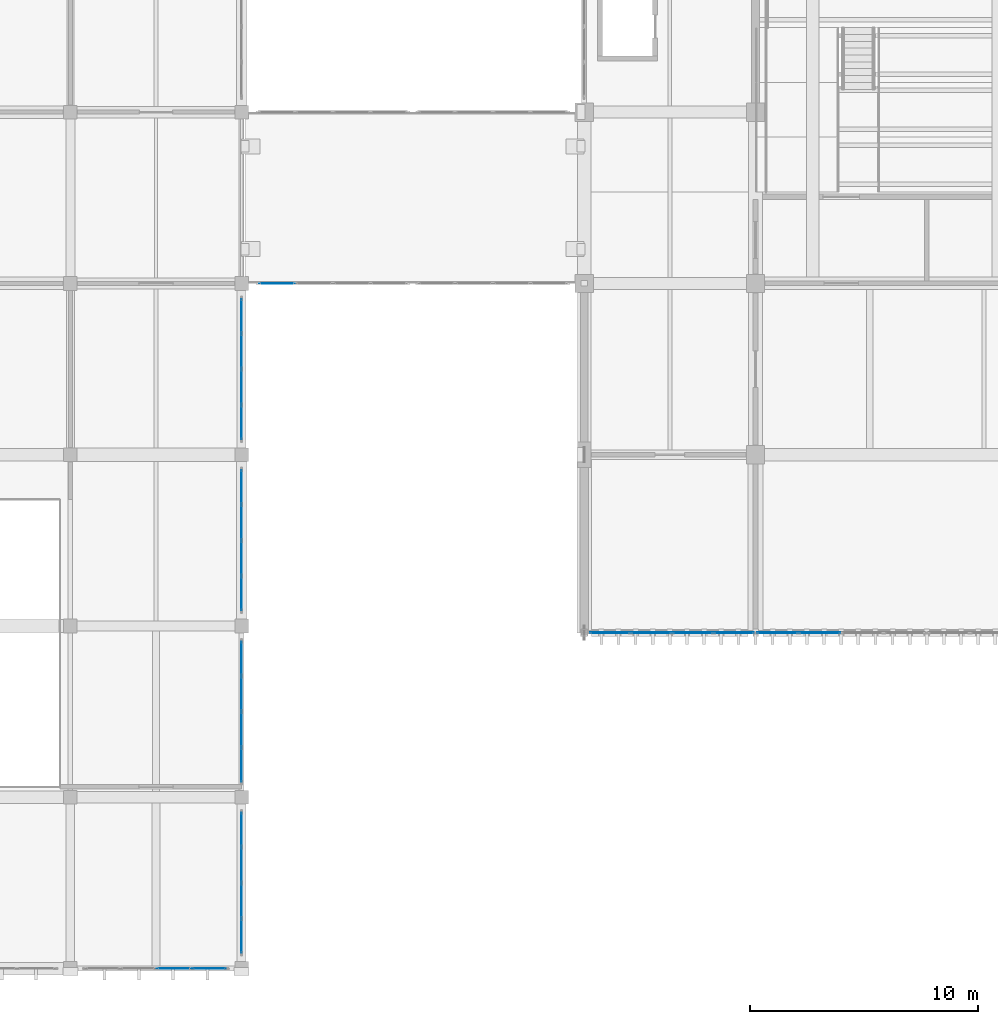
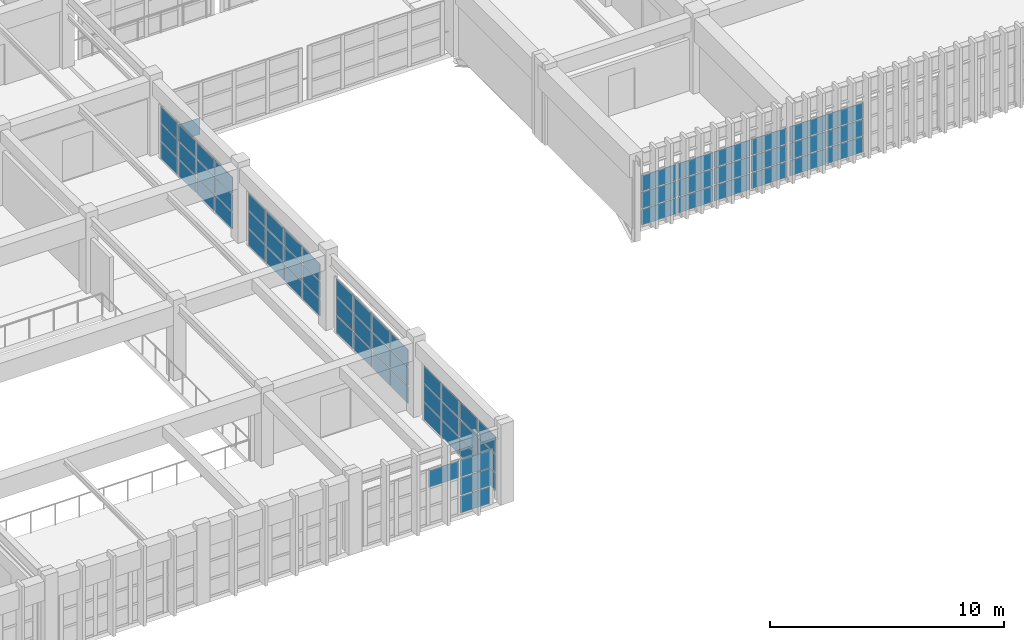
# One storey, part 77 of 124: 71 plates, 8 elements without a shape of their own.
"""IFC4 building model written with IfcOpenShell, lengths in metres."""

from ifc_helpers import new_model, si_unit, direction, frame, origin, origin_2d, place, context, subcontext, project, spatial, rectangle, extrude, material, layer, layer_set, type_object, element, aggregate, save


model = new_model("IFC4")

# Units and contexts
model_context = context("Model", 3, precision=1e-05, world=origin(), true_north=direction((0.0, 1.0)))
body_context = subcontext(model_context, "Body", "Model", "MODEL_VIEW")
ifc_project = project(units=[si_unit("LENGTHUNIT", "METRE"), si_unit("AREAUNIT", "SQUARE_METRE"), si_unit("VOLUMEUNIT", "CUBIC_METRE"), si_unit("PLANEANGLEUNIT", "RADIAN"), si_unit("MASSUNIT", "GRAM", prefix="KILO")], contexts=[model_context])

# Site, building, storey
site_placement = place(None, origin())
site = spatial("IfcSite", under=ifc_project, at=site_placement, CompositionType="ELEMENT")
building_placement = place(site_placement, origin())
building = spatial("IfcBuilding", under=site, at=building_placement, Name="Qasida Concert Hall", CompositionType="ELEMENT")
storey_placement = place(building_placement, frame((0.0, 0.0, 9.0)))
storey = spatial("IfcBuildingStorey", under=building, at=storey_placement, Name="L02", CompositionType="ELEMENT", Elevation=9.0)

# Curtain wall, plates
ifc_material_1 = material(Name="Architectural bronze-anodized aluminium and low-E glass", Category="aluminium")
curtain_wall_type_1 = type_object("IfcCurtainWallType", Name="CW-03", PredefinedType="NOTDEFINED", material=ifc_material_1)
curtain_wall_1_placement = place(storey_placement, origin())
curtain_wall_1 = element("IfcCurtainWall", 1, at=curtain_wall_1_placement, inside=storey, type_object=curtain_wall_type_1, Name="L02 curtain wall CW-03 0008", PredefinedType="NOTDEFINED")
ifc_material_2 = material(Name="Solar-control low-E double glazing", Category="glass")
ifc_layer_1 = layer(ifc_material_2, 0.031982421875, Name="Solar-control low-E double glazing")
ifc_layer_set_1 = layer_set([ifc_layer_1], Name="Solar-control low-E double glazing")
plate_type_1 = type_object("IfcPlateType", Name="PLT-CWP-2", PredefinedType="CURTAIN_PANEL", material=ifc_layer_set_1)
plate_1_placement = place(storey_placement, frame((53.626220703125, 14.699951171875, 0.06005859375), z_axis=(0.0, 0.0, 1.0), x_axis=(1.0, 0.0, 0.0)))
plate_1 = element("IfcPlate", 2, at=plate_1_placement, type_object=plate_type_1, Name="CW-03 panel 1.1", PredefinedType="CURTAIN_PANEL", context=body_context, shape_type="SweptSolid", body=[
    extrude(rectangle(XDim=1.722412109375, YDim=0.031982421875, at=origin_2d()), origin(), (0.0, 0.0, 1.0), 0.806640625),
])
plate_2_placement = place(storey_placement, frame((53.626220703125, 14.699951171875, 0.9267578125), z_axis=(0.0, 0.0, 1.0), x_axis=(1.0, 0.0, 0.0)))
plate_2 = element("IfcPlate", 3, at=plate_2_placement, type_object=plate_type_1, Name="CW-03 panel 1.2", PredefinedType="CURTAIN_PANEL", context=body_context, shape_type="SweptSolid", body=[
    extrude(rectangle(XDim=1.722412109375, YDim=0.031982421875, at=origin_2d()), origin(), (0.0, 0.0, 1.0), 0.836669921875),
])
plate_3_placement = place(storey_placement, frame((53.626220703125, 14.699951171875, 1.8232421875), z_axis=(0.0, 0.0, 1.0), x_axis=(1.0, 0.0, 0.0)))
plate_3 = element("IfcPlate", 4, at=plate_3_placement, type_object=plate_type_1, Name="CW-03 panel 1.3", PredefinedType="CURTAIN_PANEL", context=body_context, shape_type="SweptSolid", body=[
    extrude(rectangle(XDim=1.722412109375, YDim=0.031982421875, at=origin_2d()), origin(), (0.0, 0.0, 1.0), 0.806640625),
])
plate_4_placement = place(storey_placement, frame((55.429931640625, 14.699951171875, 0.06005859375), z_axis=(0.0, 0.0, 1.0), x_axis=(1.0, 0.0, 0.0)))
plate_4 = element("IfcPlate", 5, at=plate_4_placement, type_object=plate_type_1, Name="CW-03 panel 2.1", PredefinedType="CURTAIN_PANEL", context=body_context, shape_type="SweptSolid", body=[
    extrude(rectangle(XDim=1.7548828125, YDim=0.031982421875, at=origin_2d()), origin(), (0.0, 0.0, 1.0), 0.806640625),
])
plate_5_placement = place(storey_placement, frame((55.429931640625, 14.699951171875, 0.9267578125), z_axis=(0.0, 0.0, 1.0), x_axis=(1.0, 0.0, 0.0)))
plate_5 = element("IfcPlate", 6, at=plate_5_placement, type_object=plate_type_1, Name="CW-03 panel 2.2", PredefinedType="CURTAIN_PANEL", context=body_context, shape_type="SweptSolid", body=[
    extrude(rectangle(XDim=1.7548828125, YDim=0.031982421875, at=origin_2d()), origin(), (0.0, 0.0, 1.0), 0.836669921875),
])
plate_6_placement = place(storey_placement, frame((55.429931640625, 14.699951171875, 1.8232421875), z_axis=(0.0, 0.0, 1.0), x_axis=(1.0, 0.0, 0.0)))
plate_6 = element("IfcPlate", 7, at=plate_6_placement, type_object=plate_type_1, Name="CW-03 panel 2.3", PredefinedType="CURTAIN_PANEL", context=body_context, shape_type="SweptSolid", body=[
    extrude(rectangle(XDim=1.7548828125, YDim=0.031982421875, at=origin_2d()), origin(), (0.0, 0.0, 1.0), 0.806640625),
])
plate_7_placement = place(storey_placement, frame((57.25, 14.699951171875, 0.06005859375), z_axis=(0.0, 0.0, 1.0), x_axis=(1.0, 0.0, 0.0)))
plate_7 = element("IfcPlate", 8, at=plate_7_placement, type_object=plate_type_1, Name="CW-03 panel 3.1", PredefinedType="CURTAIN_PANEL", context=body_context, shape_type="SweptSolid", body=[
    extrude(rectangle(XDim=1.7548828125, YDim=0.031982421875, at=origin_2d()), origin(), (0.0, 0.0, 1.0), 0.806640625),
])
plate_8_placement = place(storey_placement, frame((57.25, 14.699951171875, 0.9267578125), z_axis=(0.0, 0.0, 1.0), x_axis=(1.0, 0.0, 0.0)))
plate_8 = element("IfcPlate", 9, at=plate_8_placement, type_object=plate_type_1, Name="CW-03 panel 3.2", PredefinedType="CURTAIN_PANEL", context=body_context, shape_type="SweptSolid", body=[
    extrude(rectangle(XDim=1.7548828125, YDim=0.031982421875, at=origin_2d()), origin(), (0.0, 0.0, 1.0), 0.836669921875),
])
plate_9_placement = place(storey_placement, frame((57.25, 14.699951171875, 1.8232421875), z_axis=(0.0, 0.0, 1.0), x_axis=(1.0, 0.0, 0.0)))
plate_9 = element("IfcPlate", 10, at=plate_9_placement, type_object=plate_type_1, Name="CW-03 panel 3.3", PredefinedType="CURTAIN_PANEL", context=body_context, shape_type="SweptSolid", body=[
    extrude(rectangle(XDim=1.7548828125, YDim=0.031982421875, at=origin_2d()), origin(), (0.0, 0.0, 1.0), 0.806640625),
])
plate_10_placement = place(storey_placement, frame((59.0537109375, 14.699951171875, 0.06005859375), z_axis=(0.0, 0.0, 1.0), x_axis=(1.0, 0.0, 0.0)))
plate_10 = element("IfcPlate", 11, at=plate_10_placement, type_object=plate_type_1, Name="CW-03 panel 4.1", PredefinedType="CURTAIN_PANEL", context=body_context, shape_type="SweptSolid", body=[
    extrude(rectangle(XDim=1.722412109375, YDim=0.031982421875, at=origin_2d()), origin(), (0.0, 0.0, 1.0), 0.806640625),
])
plate_11_placement = place(storey_placement, frame((59.0537109375, 14.699951171875, 0.9267578125), z_axis=(0.0, 0.0, 1.0), x_axis=(1.0, 0.0, 0.0)))
plate_11 = element("IfcPlate", 12, at=plate_11_placement, type_object=plate_type_1, Name="CW-03 panel 4.2", PredefinedType="CURTAIN_PANEL", context=body_context, shape_type="SweptSolid", body=[
    extrude(rectangle(XDim=1.722412109375, YDim=0.031982421875, at=origin_2d()), origin(), (0.0, 0.0, 1.0), 0.836669921875),
])
plate_12_placement = place(storey_placement, frame((59.0537109375, 14.699951171875, 1.8232421875), z_axis=(0.0, 0.0, 1.0), x_axis=(1.0, 0.0, 0.0)))
plate_12 = element("IfcPlate", 13, at=plate_12_placement, type_object=plate_type_1, Name="CW-03 panel 4.3", PredefinedType="CURTAIN_PANEL", context=body_context, shape_type="SweptSolid", body=[
    extrude(rectangle(XDim=1.722412109375, YDim=0.031982421875, at=origin_2d()), origin(), (0.0, 0.0, 1.0), 0.806640625),
])
aggregate(curtain_wall_1, [plate_1, plate_2, plate_3, plate_4, plate_5, plate_6, plate_7, plate_8, plate_9, plate_10, plate_11, plate_12])

curtain_wall_2_placement = place(storey_placement, origin())
curtain_wall_2 = element("IfcCurtainWall", 14, at=curtain_wall_2_placement, inside=storey, type_object=curtain_wall_type_1, Name="L02 curtain wall CW-03 0009", PredefinedType="NOTDEFINED")
plate_13_placement = place(storey_placement, frame((60.96875, 14.699951171875, 0.06005859375), z_axis=(0.0, 0.0, 1.0), x_axis=(1.0, 0.0, 0.0)))
plate_13 = element("IfcPlate", 15, at=plate_13_placement, type_object=plate_type_1, Name="CW-03 panel 1.1", PredefinedType="CURTAIN_PANEL", context=body_context, shape_type="SweptSolid", body=[
    extrude(rectangle(XDim=1.767578125, YDim=0.031982421875, at=origin_2d()), origin(), (0.0, 0.0, 1.0), 0.806640625),
])
plate_14_placement = place(storey_placement, frame((60.96875, 14.699951171875, 0.9267578125), z_axis=(0.0, 0.0, 1.0), x_axis=(1.0, 0.0, 0.0)))
plate_14 = element("IfcPlate", 16, at=plate_14_placement, type_object=plate_type_1, Name="CW-03 panel 1.2", PredefinedType="CURTAIN_PANEL", context=body_context, shape_type="SweptSolid", body=[
    extrude(rectangle(XDim=1.767578125, YDim=0.031982421875, at=origin_2d()), origin(), (0.0, 0.0, 1.0), 0.836669921875),
])
plate_15_placement = place(storey_placement, frame((60.96875, 14.699951171875, 1.8232421875), z_axis=(0.0, 0.0, 1.0), x_axis=(1.0, 0.0, 0.0)))
plate_15 = element("IfcPlate", 17, at=plate_15_placement, type_object=plate_type_1, Name="CW-03 panel 1.3", PredefinedType="CURTAIN_PANEL", context=body_context, shape_type="SweptSolid", body=[
    extrude(rectangle(XDim=1.767578125, YDim=0.031982421875, at=origin_2d()), origin(), (0.0, 0.0, 1.0), 0.806640625),
])
plate_16_placement = place(storey_placement, frame((62.8173828125, 14.699951171875, 0.06005859375), z_axis=(0.0, 0.0, 1.0), x_axis=(1.0, 0.0, 0.0)))
plate_16 = element("IfcPlate", 18, at=plate_16_placement, type_object=plate_type_1, Name="CW-03 panel 2.1", PredefinedType="CURTAIN_PANEL", context=body_context, shape_type="SweptSolid", body=[
    extrude(rectangle(XDim=1.800048828125, YDim=0.031982421875, at=origin_2d()), origin(), (0.0, 0.0, 1.0), 0.806640625),
])
plate_17_placement = place(storey_placement, frame((62.8173828125, 14.699951171875, 0.9267578125), z_axis=(0.0, 0.0, 1.0), x_axis=(1.0, 0.0, 0.0)))
plate_17 = element("IfcPlate", 19, at=plate_17_placement, type_object=plate_type_1, Name="CW-03 panel 2.2", PredefinedType="CURTAIN_PANEL", context=body_context, shape_type="SweptSolid", body=[
    extrude(rectangle(XDim=1.800048828125, YDim=0.031982421875, at=origin_2d()), origin(), (0.0, 0.0, 1.0), 0.836669921875),
])
plate_18_placement = place(storey_placement, frame((62.8173828125, 14.699951171875, 1.8232421875), z_axis=(0.0, 0.0, 1.0), x_axis=(1.0, 0.0, 0.0)))
plate_18 = element("IfcPlate", 20, at=plate_18_placement, type_object=plate_type_1, Name="CW-03 panel 2.3", PredefinedType="CURTAIN_PANEL", context=body_context, shape_type="SweptSolid", body=[
    extrude(rectangle(XDim=1.800048828125, YDim=0.031982421875, at=origin_2d()), origin(), (0.0, 0.0, 1.0), 0.806640625),
])
aggregate(curtain_wall_2, [plate_13, plate_14, plate_15, plate_16, plate_17, plate_18])

curtain_wall_type_2 = type_object("IfcCurtainWallType", Name="CW-08", PredefinedType="NOTDEFINED", material=ifc_material_1)
curtain_wall_3_placement = place(storey_placement, origin())
curtain_wall_3 = element("IfcCurtainWall", 21, at=curtain_wall_3_placement, inside=storey, type_object=curtain_wall_type_2, Name="L02 curtain wall CW-08 0107", PredefinedType="NOTDEFINED")
ifc_layer_2 = layer(ifc_material_2, 0.02392578125, Name="Solar-control low-E double glazing")
ifc_layer_set_2 = layer_set([ifc_layer_2], Name="Solar-control low-E double glazing")
plate_type_2 = type_object("IfcPlateType", Name="PLT-CWP-5", PredefinedType="CURTAIN_PANEL", material=ifc_layer_set_2)
plate_19_placement = place(storey_placement, frame((34.532470703125, 0.0, 1.943359375), z_axis=(0.0, 0.0, 1.0), x_axis=(1.0, 0.0, 0.0)))
plate_19 = element("IfcPlate", 22, at=plate_19_placement, type_object=plate_type_2, Name="CW-08 panel 3.3", PredefinedType="CURTAIN_PANEL", context=body_context, shape_type="SweptSolid", body=[
    extrude(rectangle(XDim=1.5, YDim=0.02392578125, at=origin_2d()), origin(), (0.0, 0.0, 1.0), 0.86669921875),
])
plate_20_placement = place(storey_placement, frame((36.081298828125, 0.0, 0.06005859375), z_axis=(0.0, 0.0, 1.0), x_axis=(1.0, 0.0, 0.0)))
plate_20 = element("IfcPlate", 23, at=plate_20_placement, type_object=plate_type_2, Name="CW-08 panel 4.1", PredefinedType="CURTAIN_PANEL", context=body_context, shape_type="SweptSolid", body=[
    extrude(rectangle(XDim=1.467529296875, YDim=0.02392578125, at=origin_2d()), origin(), (0.0, 0.0, 1.0), 0.86669921875),
])
plate_21_placement = place(storey_placement, frame((36.081298828125, 0.0, 0.98681640625), z_axis=(0.0, 0.0, 1.0), x_axis=(1.0, 0.0, 0.0)))
plate_21 = element("IfcPlate", 24, at=plate_21_placement, type_object=plate_type_2, Name="CW-08 panel 4.2", PredefinedType="CURTAIN_PANEL", context=body_context, shape_type="SweptSolid", body=[
    extrude(rectangle(XDim=1.467529296875, YDim=0.02392578125, at=origin_2d()), origin(), (0.0, 0.0, 1.0), 0.896484375),
])
plate_22_placement = place(storey_placement, frame((36.081298828125, 0.0, 1.943359375), z_axis=(0.0, 0.0, 1.0), x_axis=(1.0, 0.0, 0.0)))
plate_22 = element("IfcPlate", 25, at=plate_22_placement, type_object=plate_type_2, Name="CW-08 panel 4.3", PredefinedType="CURTAIN_PANEL", context=body_context, shape_type="SweptSolid", body=[
    extrude(rectangle(XDim=1.467529296875, YDim=0.02392578125, at=origin_2d()), origin(), (0.0, 0.0, 1.0), 0.86669921875),
])
aggregate(curtain_wall_3, [plate_19, plate_20, plate_21, plate_22])

curtain_wall_4_placement = place(storey_placement, origin())
curtain_wall_4 = element("IfcCurtainWall", 26, at=curtain_wall_4_placement, inside=storey, type_object=curtain_wall_type_2, Name="L02 curtain wall CW-08 0109", PredefinedType="NOTDEFINED")
plate_23_placement = place(storey_placement, frame((37.5, 1.418701171875, 0.06005859375), z_axis=(0.0, 0.0, 1.0), x_axis=(0.0, 1.0, 0.0)))
plate_23 = element("IfcPlate", 27, at=plate_23_placement, type_object=plate_type_2, Name="CW-08 panel 1.1", PredefinedType="CURTAIN_PANEL", context=body_context, shape_type="SweptSolid", body=[
    extrude(rectangle(XDim=1.467529296875, YDim=0.02392578125, at=origin_2d()), origin(), (0.0, 0.0, 1.0), 0.88330078125),
])
plate_24_placement = place(storey_placement, frame((37.5, 1.418701171875, 1.00341796875), z_axis=(0.0, 0.0, 1.0), x_axis=(0.0, 1.0, 0.0)))
plate_24 = element("IfcPlate", 28, at=plate_24_placement, type_object=plate_type_2, Name="CW-08 panel 1.2", PredefinedType="CURTAIN_PANEL", context=body_context, shape_type="SweptSolid", body=[
    extrude(rectangle(XDim=1.467529296875, YDim=0.02392578125, at=origin_2d()), origin(), (0.0, 0.0, 1.0), 0.913330078125),
])
plate_25_placement = place(storey_placement, frame((37.5, 1.418701171875, 1.976806640625), z_axis=(0.0, 0.0, 1.0), x_axis=(0.0, 1.0, 0.0)))
plate_25 = element("IfcPlate", 29, at=plate_25_placement, type_object=plate_type_2, Name="CW-08 panel 1.3", PredefinedType="CURTAIN_PANEL", context=body_context, shape_type="SweptSolid", body=[
    extrude(rectangle(XDim=1.467529296875, YDim=0.02392578125, at=origin_2d()), origin(), (0.0, 0.0, 1.0), 0.88330078125),
])
plate_26_placement = place(storey_placement, frame((37.5, 2.967529296875, 0.06005859375), z_axis=(0.0, 0.0, 1.0), x_axis=(0.0, 1.0, 0.0)))
plate_26 = element("IfcPlate", 30, at=plate_26_placement, type_object=plate_type_2, Name="CW-08 panel 2.1", PredefinedType="CURTAIN_PANEL", context=body_context, shape_type="SweptSolid", body=[
    extrude(rectangle(XDim=1.5, YDim=0.02392578125, at=origin_2d()), origin(), (0.0, 0.0, 1.0), 0.88330078125),
])
plate_27_placement = place(storey_placement, frame((37.5, 2.967529296875, 1.00341796875), z_axis=(0.0, 0.0, 1.0), x_axis=(0.0, 1.0, 0.0)))
plate_27 = element("IfcPlate", 31, at=plate_27_placement, type_object=plate_type_2, Name="CW-08 panel 2.2", PredefinedType="CURTAIN_PANEL", context=body_context, shape_type="SweptSolid", body=[
    extrude(rectangle(XDim=1.5, YDim=0.02392578125, at=origin_2d()), origin(), (0.0, 0.0, 1.0), 0.913330078125),
])
plate_28_placement = place(storey_placement, frame((37.5, 2.967529296875, 1.976806640625), z_axis=(0.0, 0.0, 1.0), x_axis=(0.0, 1.0, 0.0)))
plate_28 = element("IfcPlate", 32, at=plate_28_placement, type_object=plate_type_2, Name="CW-08 panel 2.3", PredefinedType="CURTAIN_PANEL", context=body_context, shape_type="SweptSolid", body=[
    extrude(rectangle(XDim=1.5, YDim=0.02392578125, at=origin_2d()), origin(), (0.0, 0.0, 1.0), 0.88330078125),
])
plate_29_placement = place(storey_placement, frame((37.5, 4.532470703125, 0.06005859375), z_axis=(0.0, 0.0, 1.0), x_axis=(0.0, 1.0, 0.0)))
plate_29 = element("IfcPlate", 33, at=plate_29_placement, type_object=plate_type_2, Name="CW-08 panel 3.1", PredefinedType="CURTAIN_PANEL", context=body_context, shape_type="SweptSolid", body=[
    extrude(rectangle(XDim=1.5, YDim=0.02392578125, at=origin_2d()), origin(), (0.0, 0.0, 1.0), 0.88330078125),
])
plate_30_placement = place(storey_placement, frame((37.5, 4.532470703125, 1.00341796875), z_axis=(0.0, 0.0, 1.0), x_axis=(0.0, 1.0, 0.0)))
plate_30 = element("IfcPlate", 34, at=plate_30_placement, type_object=plate_type_2, Name="CW-08 panel 3.2", PredefinedType="CURTAIN_PANEL", context=body_context, shape_type="SweptSolid", body=[
    extrude(rectangle(XDim=1.5, YDim=0.02392578125, at=origin_2d()), origin(), (0.0, 0.0, 1.0), 0.913330078125),
])
plate_31_placement = place(storey_placement, frame((37.5, 4.532470703125, 1.976806640625), z_axis=(0.0, 0.0, 1.0), x_axis=(0.0, 1.0, 0.0)))
plate_31 = element("IfcPlate", 35, at=plate_31_placement, type_object=plate_type_2, Name="CW-08 panel 3.3", PredefinedType="CURTAIN_PANEL", context=body_context, shape_type="SweptSolid", body=[
    extrude(rectangle(XDim=1.5, YDim=0.02392578125, at=origin_2d()), origin(), (0.0, 0.0, 1.0), 0.88330078125),
])
plate_32_placement = place(storey_placement, frame((37.5, 6.081298828125, 0.06005859375), z_axis=(0.0, 0.0, 1.0), x_axis=(0.0, 1.0, 0.0)))
plate_32 = element("IfcPlate", 36, at=plate_32_placement, type_object=plate_type_2, Name="CW-08 panel 4.1", PredefinedType="CURTAIN_PANEL", context=body_context, shape_type="SweptSolid", body=[
    extrude(rectangle(XDim=1.467529296875, YDim=0.02392578125, at=origin_2d()), origin(), (0.0, 0.0, 1.0), 0.88330078125),
])
plate_33_placement = place(storey_placement, frame((37.5, 6.081298828125, 1.00341796875), z_axis=(0.0, 0.0, 1.0), x_axis=(0.0, 1.0, 0.0)))
plate_33 = element("IfcPlate", 37, at=plate_33_placement, type_object=plate_type_2, Name="CW-08 panel 4.2", PredefinedType="CURTAIN_PANEL", context=body_context, shape_type="SweptSolid", body=[
    extrude(rectangle(XDim=1.467529296875, YDim=0.02392578125, at=origin_2d()), origin(), (0.0, 0.0, 1.0), 0.913330078125),
])
plate_34_placement = place(storey_placement, frame((37.5, 6.081298828125, 1.976806640625), z_axis=(0.0, 0.0, 1.0), x_axis=(0.0, 1.0, 0.0)))
plate_34 = element("IfcPlate", 38, at=plate_34_placement, type_object=plate_type_2, Name="CW-08 panel 4.3", PredefinedType="CURTAIN_PANEL", context=body_context, shape_type="SweptSolid", body=[
    extrude(rectangle(XDim=1.467529296875, YDim=0.02392578125, at=origin_2d()), origin(), (0.0, 0.0, 1.0), 0.88330078125),
])
aggregate(curtain_wall_4, [plate_23, plate_24, plate_25, plate_26, plate_27, plate_28, plate_29, plate_30, plate_31, plate_32, plate_33, plate_34])

curtain_wall_5_placement = place(storey_placement, origin())
curtain_wall_5 = element("IfcCurtainWall", 39, at=curtain_wall_5_placement, inside=storey, type_object=curtain_wall_type_2, Name="L02 curtain wall CW-08 0111", PredefinedType="NOTDEFINED")
plate_35_placement = place(storey_placement, frame((37.5, 8.918701171875, 0.06005859375), z_axis=(0.0, 0.0, 1.0), x_axis=(0.0, 1.0, 0.0)))
plate_35 = element("IfcPlate", 40, at=plate_35_placement, type_object=plate_type_2, Name="CW-08 panel 1.1", PredefinedType="CURTAIN_PANEL", context=body_context, shape_type="SweptSolid", body=[
    extrude(rectangle(XDim=1.467529296875, YDim=0.02392578125, at=origin_2d()), origin(), (0.0, 0.0, 1.0), 0.88330078125),
])
plate_36_placement = place(storey_placement, frame((37.5, 8.918701171875, 1.00341796875), z_axis=(0.0, 0.0, 1.0), x_axis=(0.0, 1.0, 0.0)))
plate_36 = element("IfcPlate", 41, at=plate_36_placement, type_object=plate_type_2, Name="CW-08 panel 1.2", PredefinedType="CURTAIN_PANEL", context=body_context, shape_type="SweptSolid", body=[
    extrude(rectangle(XDim=1.467529296875, YDim=0.02392578125, at=origin_2d()), origin(), (0.0, 0.0, 1.0), 0.913330078125),
])
plate_37_placement = place(storey_placement, frame((37.5, 8.918701171875, 1.976806640625), z_axis=(0.0, 0.0, 1.0), x_axis=(0.0, 1.0, 0.0)))
plate_37 = element("IfcPlate", 42, at=plate_37_placement, type_object=plate_type_2, Name="CW-08 panel 1.3", PredefinedType="CURTAIN_PANEL", context=body_context, shape_type="SweptSolid", body=[
    extrude(rectangle(XDim=1.467529296875, YDim=0.02392578125, at=origin_2d()), origin(), (0.0, 0.0, 1.0), 0.88330078125),
])
plate_38_placement = place(storey_placement, frame((37.5, 10.467529296875, 0.06005859375), z_axis=(0.0, 0.0, 1.0), x_axis=(0.0, 1.0, 0.0)))
plate_38 = element("IfcPlate", 43, at=plate_38_placement, type_object=plate_type_2, Name="CW-08 panel 2.1", PredefinedType="CURTAIN_PANEL", context=body_context, shape_type="SweptSolid", body=[
    extrude(rectangle(XDim=1.5, YDim=0.02392578125, at=origin_2d()), origin(), (0.0, 0.0, 1.0), 0.88330078125),
])
plate_39_placement = place(storey_placement, frame((37.5, 10.467529296875, 1.00341796875), z_axis=(0.0, 0.0, 1.0), x_axis=(0.0, 1.0, 0.0)))
plate_39 = element("IfcPlate", 44, at=plate_39_placement, type_object=plate_type_2, Name="CW-08 panel 2.2", PredefinedType="CURTAIN_PANEL", context=body_context, shape_type="SweptSolid", body=[
    extrude(rectangle(XDim=1.5, YDim=0.02392578125, at=origin_2d()), origin(), (0.0, 0.0, 1.0), 0.913330078125),
])
plate_40_placement = place(storey_placement, frame((37.5, 10.467529296875, 1.976806640625), z_axis=(0.0, 0.0, 1.0), x_axis=(0.0, 1.0, 0.0)))
plate_40 = element("IfcPlate", 45, at=plate_40_placement, type_object=plate_type_2, Name="CW-08 panel 2.3", PredefinedType="CURTAIN_PANEL", context=body_context, shape_type="SweptSolid", body=[
    extrude(rectangle(XDim=1.5, YDim=0.02392578125, at=origin_2d()), origin(), (0.0, 0.0, 1.0), 0.88330078125),
])
plate_41_placement = place(storey_placement, frame((37.5, 12.032470703125, 0.06005859375), z_axis=(0.0, 0.0, 1.0), x_axis=(0.0, 1.0, 0.0)))
plate_41 = element("IfcPlate", 46, at=plate_41_placement, type_object=plate_type_2, Name="CW-08 panel 3.1", PredefinedType="CURTAIN_PANEL", context=body_context, shape_type="SweptSolid", body=[
    extrude(rectangle(XDim=1.5, YDim=0.02392578125, at=origin_2d()), origin(), (0.0, 0.0, 1.0), 0.88330078125),
])
plate_42_placement = place(storey_placement, frame((37.5, 12.032470703125, 1.00341796875), z_axis=(0.0, 0.0, 1.0), x_axis=(0.0, 1.0, 0.0)))
plate_42 = element("IfcPlate", 47, at=plate_42_placement, type_object=plate_type_2, Name="CW-08 panel 3.2", PredefinedType="CURTAIN_PANEL", context=body_context, shape_type="SweptSolid", body=[
    extrude(rectangle(XDim=1.5, YDim=0.02392578125, at=origin_2d()), origin(), (0.0, 0.0, 1.0), 0.913330078125),
])
plate_43_placement = place(storey_placement, frame((37.5, 12.032470703125, 1.976806640625), z_axis=(0.0, 0.0, 1.0), x_axis=(0.0, 1.0, 0.0)))
plate_43 = element("IfcPlate", 48, at=plate_43_placement, type_object=plate_type_2, Name="CW-08 panel 3.3", PredefinedType="CURTAIN_PANEL", context=body_context, shape_type="SweptSolid", body=[
    extrude(rectangle(XDim=1.5, YDim=0.02392578125, at=origin_2d()), origin(), (0.0, 0.0, 1.0), 0.88330078125),
])
plate_44_placement = place(storey_placement, frame((37.5, 13.581298828125, 0.06005859375), z_axis=(0.0, 0.0, 1.0), x_axis=(0.0, 1.0, 0.0)))
plate_44 = element("IfcPlate", 49, at=plate_44_placement, type_object=plate_type_2, Name="CW-08 panel 4.1", PredefinedType="CURTAIN_PANEL", context=body_context, shape_type="SweptSolid", body=[
    extrude(rectangle(XDim=1.467529296875, YDim=0.02392578125, at=origin_2d()), origin(), (0.0, 0.0, 1.0), 0.88330078125),
])
plate_45_placement = place(storey_placement, frame((37.5, 13.581298828125, 1.00341796875), z_axis=(0.0, 0.0, 1.0), x_axis=(0.0, 1.0, 0.0)))
plate_45 = element("IfcPlate", 50, at=plate_45_placement, type_object=plate_type_2, Name="CW-08 panel 4.2", PredefinedType="CURTAIN_PANEL", context=body_context, shape_type="SweptSolid", body=[
    extrude(rectangle(XDim=1.467529296875, YDim=0.02392578125, at=origin_2d()), origin(), (0.0, 0.0, 1.0), 0.913330078125),
])
plate_46_placement = place(storey_placement, frame((37.5, 13.581298828125, 1.976806640625), z_axis=(0.0, 0.0, 1.0), x_axis=(0.0, 1.0, 0.0)))
plate_46 = element("IfcPlate", 51, at=plate_46_placement, type_object=plate_type_2, Name="CW-08 panel 4.3", PredefinedType="CURTAIN_PANEL", context=body_context, shape_type="SweptSolid", body=[
    extrude(rectangle(XDim=1.467529296875, YDim=0.02392578125, at=origin_2d()), origin(), (0.0, 0.0, 1.0), 0.88330078125),
])
aggregate(curtain_wall_5, [plate_35, plate_36, plate_37, plate_38, plate_39, plate_40, plate_41, plate_42, plate_43, plate_44, plate_45, plate_46])

curtain_wall_6_placement = place(storey_placement, origin())
curtain_wall_6 = element("IfcCurtainWall", 52, at=curtain_wall_6_placement, inside=storey, type_object=curtain_wall_type_2, Name="L02 curtain wall CW-08 0112", PredefinedType="NOTDEFINED")
plate_47_placement = place(storey_placement, frame((37.5, 16.418701171875, 0.06005859375), z_axis=(0.0, 0.0, 1.0), x_axis=(0.0, 1.0, 0.0)))
plate_47 = element("IfcPlate", 53, at=plate_47_placement, type_object=plate_type_2, Name="CW-08 panel 1.1", PredefinedType="CURTAIN_PANEL", context=body_context, shape_type="SweptSolid", body=[
    extrude(rectangle(XDim=1.467529296875, YDim=0.02392578125, at=origin_2d()), origin(), (0.0, 0.0, 1.0), 0.85009765625),
])
plate_48_placement = place(storey_placement, frame((37.5, 16.418701171875, 0.969970703125), z_axis=(0.0, 0.0, 1.0), x_axis=(0.0, 1.0, 0.0)))
plate_48 = element("IfcPlate", 54, at=plate_48_placement, type_object=plate_type_2, Name="CW-08 panel 1.2", PredefinedType="CURTAIN_PANEL", context=body_context, shape_type="SweptSolid", body=[
    extrude(rectangle(XDim=1.467529296875, YDim=0.02392578125, at=origin_2d()), origin(), (0.0, 0.0, 1.0), 0.8798828125),
])
plate_49_placement = place(storey_placement, frame((37.5, 16.418701171875, 1.909912109375), z_axis=(0.0, 0.0, 1.0), x_axis=(0.0, 1.0, 0.0)))
plate_49 = element("IfcPlate", 55, at=plate_49_placement, type_object=plate_type_2, Name="CW-08 panel 1.3", PredefinedType="CURTAIN_PANEL", context=body_context, shape_type="SweptSolid", body=[
    extrude(rectangle(XDim=1.467529296875, YDim=0.02392578125, at=origin_2d()), origin(), (0.0, 0.0, 1.0), 0.85009765625),
])
plate_50_placement = place(storey_placement, frame((37.5, 17.967529296875, 0.06005859375), z_axis=(0.0, 0.0, 1.0), x_axis=(0.0, 1.0, 0.0)))
plate_50 = element("IfcPlate", 56, at=plate_50_placement, type_object=plate_type_2, Name="CW-08 panel 2.1", PredefinedType="CURTAIN_PANEL", context=body_context, shape_type="SweptSolid", body=[
    extrude(rectangle(XDim=1.5, YDim=0.02392578125, at=origin_2d()), origin(), (0.0, 0.0, 1.0), 0.85009765625),
])
plate_51_placement = place(storey_placement, frame((37.5, 17.967529296875, 0.969970703125), z_axis=(0.0, 0.0, 1.0), x_axis=(0.0, 1.0, 0.0)))
plate_51 = element("IfcPlate", 57, at=plate_51_placement, type_object=plate_type_2, Name="CW-08 panel 2.2", PredefinedType="CURTAIN_PANEL", context=body_context, shape_type="SweptSolid", body=[
    extrude(rectangle(XDim=1.5, YDim=0.02392578125, at=origin_2d()), origin(), (0.0, 0.0, 1.0), 0.8798828125),
])
plate_52_placement = place(storey_placement, frame((37.5, 17.967529296875, 1.909912109375), z_axis=(0.0, 0.0, 1.0), x_axis=(0.0, 1.0, 0.0)))
plate_52 = element("IfcPlate", 58, at=plate_52_placement, type_object=plate_type_2, Name="CW-08 panel 2.3", PredefinedType="CURTAIN_PANEL", context=body_context, shape_type="SweptSolid", body=[
    extrude(rectangle(XDim=1.5, YDim=0.02392578125, at=origin_2d()), origin(), (0.0, 0.0, 1.0), 0.85009765625),
])
plate_53_placement = place(storey_placement, frame((37.5, 19.532470703125, 0.06005859375), z_axis=(0.0, 0.0, 1.0), x_axis=(0.0, 1.0, 0.0)))
plate_53 = element("IfcPlate", 59, at=plate_53_placement, type_object=plate_type_2, Name="CW-08 panel 3.1", PredefinedType="CURTAIN_PANEL", context=body_context, shape_type="SweptSolid", body=[
    extrude(rectangle(XDim=1.5, YDim=0.02392578125, at=origin_2d()), origin(), (0.0, 0.0, 1.0), 0.85009765625),
])
plate_54_placement = place(storey_placement, frame((37.5, 19.532470703125, 0.969970703125), z_axis=(0.0, 0.0, 1.0), x_axis=(0.0, 1.0, 0.0)))
plate_54 = element("IfcPlate", 60, at=plate_54_placement, type_object=plate_type_2, Name="CW-08 panel 3.2", PredefinedType="CURTAIN_PANEL", context=body_context, shape_type="SweptSolid", body=[
    extrude(rectangle(XDim=1.5, YDim=0.02392578125, at=origin_2d()), origin(), (0.0, 0.0, 1.0), 0.8798828125),
])
plate_55_placement = place(storey_placement, frame((37.5, 19.532470703125, 1.909912109375), z_axis=(0.0, 0.0, 1.0), x_axis=(0.0, 1.0, 0.0)))
plate_55 = element("IfcPlate", 61, at=plate_55_placement, type_object=plate_type_2, Name="CW-08 panel 3.3", PredefinedType="CURTAIN_PANEL", context=body_context, shape_type="SweptSolid", body=[
    extrude(rectangle(XDim=1.5, YDim=0.02392578125, at=origin_2d()), origin(), (0.0, 0.0, 1.0), 0.85009765625),
])
plate_56_placement = place(storey_placement, frame((37.5, 21.081298828125, 0.06005859375), z_axis=(0.0, 0.0, 1.0), x_axis=(0.0, 1.0, 0.0)))
plate_56 = element("IfcPlate", 62, at=plate_56_placement, type_object=plate_type_2, Name="CW-08 panel 4.1", PredefinedType="CURTAIN_PANEL", context=body_context, shape_type="SweptSolid", body=[
    extrude(rectangle(XDim=1.467529296875, YDim=0.02392578125, at=origin_2d()), origin(), (0.0, 0.0, 1.0), 0.85009765625),
])
plate_57_placement = place(storey_placement, frame((37.5, 21.081298828125, 0.969970703125), z_axis=(0.0, 0.0, 1.0), x_axis=(0.0, 1.0, 0.0)))
plate_57 = element("IfcPlate", 63, at=plate_57_placement, type_object=plate_type_2, Name="CW-08 panel 4.2", PredefinedType="CURTAIN_PANEL", context=body_context, shape_type="SweptSolid", body=[
    extrude(rectangle(XDim=1.467529296875, YDim=0.02392578125, at=origin_2d()), origin(), (0.0, 0.0, 1.0), 0.8798828125),
])
plate_58_placement = place(storey_placement, frame((37.5, 21.081298828125, 1.909912109375), z_axis=(0.0, 0.0, 1.0), x_axis=(0.0, 1.0, 0.0)))
plate_58 = element("IfcPlate", 64, at=plate_58_placement, type_object=plate_type_2, Name="CW-08 panel 4.3", PredefinedType="CURTAIN_PANEL", context=body_context, shape_type="SweptSolid", body=[
    extrude(rectangle(XDim=1.467529296875, YDim=0.02392578125, at=origin_2d()), origin(), (0.0, 0.0, 1.0), 0.85009765625),
])
aggregate(curtain_wall_6, [plate_47, plate_48, plate_49, plate_50, plate_51, plate_52, plate_53, plate_54, plate_55, plate_56, plate_57, plate_58])

curtain_wall_7_placement = place(storey_placement, origin())
curtain_wall_7 = element("IfcCurtainWall", 65, at=curtain_wall_7_placement, inside=storey, type_object=curtain_wall_type_2, Name="L02 curtain wall CW-08 0113", PredefinedType="NOTDEFINED")
plate_59_placement = place(storey_placement, frame((37.5, 23.918701171875, 0.06005859375), z_axis=(0.0, 0.0, 1.0), x_axis=(0.0, 1.0, 0.0)))
plate_59 = element("IfcPlate", 66, at=plate_59_placement, type_object=plate_type_2, Name="CW-08 panel 1.1", PredefinedType="CURTAIN_PANEL", context=body_context, shape_type="SweptSolid", body=[
    extrude(rectangle(XDim=1.467529296875, YDim=0.02392578125, at=origin_2d()), origin(), (0.0, 0.0, 1.0), 0.85009765625),
])
plate_60_placement = place(storey_placement, frame((37.5, 23.918701171875, 0.969970703125), z_axis=(0.0, 0.0, 1.0), x_axis=(0.0, 1.0, 0.0)))
plate_60 = element("IfcPlate", 67, at=plate_60_placement, type_object=plate_type_2, Name="CW-08 panel 1.2", PredefinedType="CURTAIN_PANEL", context=body_context, shape_type="SweptSolid", body=[
    extrude(rectangle(XDim=1.467529296875, YDim=0.02392578125, at=origin_2d()), origin(), (0.0, 0.0, 1.0), 0.8798828125),
])
plate_61_placement = place(storey_placement, frame((37.5, 23.918701171875, 1.909912109375), z_axis=(0.0, 0.0, 1.0), x_axis=(0.0, 1.0, 0.0)))
plate_61 = element("IfcPlate", 68, at=plate_61_placement, type_object=plate_type_2, Name="CW-08 panel 1.3", PredefinedType="CURTAIN_PANEL", context=body_context, shape_type="SweptSolid", body=[
    extrude(rectangle(XDim=1.467529296875, YDim=0.02392578125, at=origin_2d()), origin(), (0.0, 0.0, 1.0), 0.85009765625),
])
plate_62_placement = place(storey_placement, frame((37.5, 25.467529296875, 0.06005859375), z_axis=(0.0, 0.0, 1.0), x_axis=(0.0, 1.0, 0.0)))
plate_62 = element("IfcPlate", 69, at=plate_62_placement, type_object=plate_type_2, Name="CW-08 panel 2.1", PredefinedType="CURTAIN_PANEL", context=body_context, shape_type="SweptSolid", body=[
    extrude(rectangle(XDim=1.5, YDim=0.02392578125, at=origin_2d()), origin(), (0.0, 0.0, 1.0), 0.85009765625),
])
plate_63_placement = place(storey_placement, frame((37.5, 25.467529296875, 0.969970703125), z_axis=(0.0, 0.0, 1.0), x_axis=(0.0, 1.0, 0.0)))
plate_63 = element("IfcPlate", 70, at=plate_63_placement, type_object=plate_type_2, Name="CW-08 panel 2.2", PredefinedType="CURTAIN_PANEL", context=body_context, shape_type="SweptSolid", body=[
    extrude(rectangle(XDim=1.5, YDim=0.02392578125, at=origin_2d()), origin(), (0.0, 0.0, 1.0), 0.8798828125),
])
plate_64_placement = place(storey_placement, frame((37.5, 25.467529296875, 1.909912109375), z_axis=(0.0, 0.0, 1.0), x_axis=(0.0, 1.0, 0.0)))
plate_64 = element("IfcPlate", 71, at=plate_64_placement, type_object=plate_type_2, Name="CW-08 panel 2.3", PredefinedType="CURTAIN_PANEL", context=body_context, shape_type="SweptSolid", body=[
    extrude(rectangle(XDim=1.5, YDim=0.02392578125, at=origin_2d()), origin(), (0.0, 0.0, 1.0), 0.85009765625),
])
plate_65_placement = place(storey_placement, frame((37.5, 27.032470703125, 0.06005859375), z_axis=(0.0, 0.0, 1.0), x_axis=(0.0, 1.0, 0.0)))
plate_65 = element("IfcPlate", 72, at=plate_65_placement, type_object=plate_type_2, Name="CW-08 panel 3.1", PredefinedType="CURTAIN_PANEL", context=body_context, shape_type="SweptSolid", body=[
    extrude(rectangle(XDim=1.5, YDim=0.02392578125, at=origin_2d()), origin(), (0.0, 0.0, 1.0), 0.85009765625),
])
plate_66_placement = place(storey_placement, frame((37.5, 27.032470703125, 0.969970703125), z_axis=(0.0, 0.0, 1.0), x_axis=(0.0, 1.0, 0.0)))
plate_66 = element("IfcPlate", 73, at=plate_66_placement, type_object=plate_type_2, Name="CW-08 panel 3.2", PredefinedType="CURTAIN_PANEL", context=body_context, shape_type="SweptSolid", body=[
    extrude(rectangle(XDim=1.5, YDim=0.02392578125, at=origin_2d()), origin(), (0.0, 0.0, 1.0), 0.8798828125),
])
plate_67_placement = place(storey_placement, frame((37.5, 27.032470703125, 1.909912109375), z_axis=(0.0, 0.0, 1.0), x_axis=(0.0, 1.0, 0.0)))
plate_67 = element("IfcPlate", 74, at=plate_67_placement, type_object=plate_type_2, Name="CW-08 panel 3.3", PredefinedType="CURTAIN_PANEL", context=body_context, shape_type="SweptSolid", body=[
    extrude(rectangle(XDim=1.5, YDim=0.02392578125, at=origin_2d()), origin(), (0.0, 0.0, 1.0), 0.85009765625),
])
plate_68_placement = place(storey_placement, frame((37.5, 28.581298828125, 0.06005859375), z_axis=(0.0, 0.0, 1.0), x_axis=(0.0, 1.0, 0.0)))
plate_68 = element("IfcPlate", 75, at=plate_68_placement, type_object=plate_type_2, Name="CW-08 panel 4.1", PredefinedType="CURTAIN_PANEL", context=body_context, shape_type="SweptSolid", body=[
    extrude(rectangle(XDim=1.467529296875, YDim=0.02392578125, at=origin_2d()), origin(), (0.0, 0.0, 1.0), 0.85009765625),
])
plate_69_placement = place(storey_placement, frame((37.5, 28.581298828125, 0.969970703125), z_axis=(0.0, 0.0, 1.0), x_axis=(0.0, 1.0, 0.0)))
plate_69 = element("IfcPlate", 76, at=plate_69_placement, type_object=plate_type_2, Name="CW-08 panel 4.2", PredefinedType="CURTAIN_PANEL", context=body_context, shape_type="SweptSolid", body=[
    extrude(rectangle(XDim=1.467529296875, YDim=0.02392578125, at=origin_2d()), origin(), (0.0, 0.0, 1.0), 0.8798828125),
])
plate_70_placement = place(storey_placement, frame((37.5, 28.581298828125, 1.909912109375), z_axis=(0.0, 0.0, 1.0), x_axis=(0.0, 1.0, 0.0)))
plate_70 = element("IfcPlate", 77, at=plate_70_placement, type_object=plate_type_2, Name="CW-08 panel 4.3", PredefinedType="CURTAIN_PANEL", context=body_context, shape_type="SweptSolid", body=[
    extrude(rectangle(XDim=1.467529296875, YDim=0.02392578125, at=origin_2d()), origin(), (0.0, 0.0, 1.0), 0.85009765625),
])
aggregate(curtain_wall_7, [plate_59, plate_60, plate_61, plate_62, plate_63, plate_64, plate_65, plate_66, plate_67, plate_68, plate_69, plate_70])

# Curtain wall, plate
curtain_wall_8_placement = place(storey_placement, origin())
curtain_wall_8 = element("IfcCurtainWall", 78, at=curtain_wall_8_placement, inside=storey, type_object=curtain_wall_type_2, Name="L02 link bridge glazing 0202", PredefinedType="NOTDEFINED")
plate_71_placement = place(storey_placement, frame((39.041259765625, 30.0, 0.06005859375), z_axis=(0.0, 0.0, 1.0), x_axis=(1.0, 0.0, 0.0)))
plate_71 = element("IfcPlate", 79, at=plate_71_placement, type_object=plate_type_2, Name="CW-08 panel 1.1", PredefinedType="CURTAIN_PANEL", context=body_context, shape_type="SweptSolid", body=[
    extrude(rectangle(XDim=1.552490234375, YDim=0.02392578125, at=origin_2d()), origin(), (0.0, 0.0, 1.0), 0.860107421875),
])
aggregate(curtain_wall_8, [plate_71])

save(model, "model.ifc")
